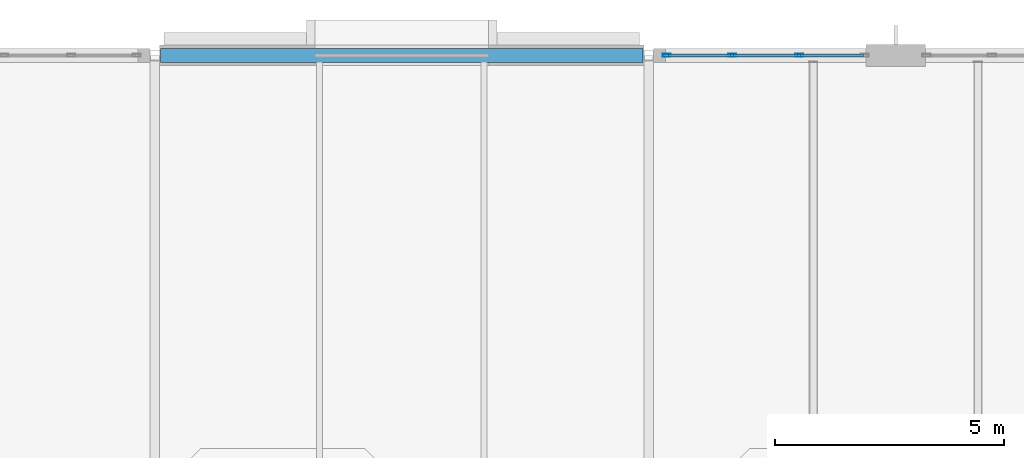
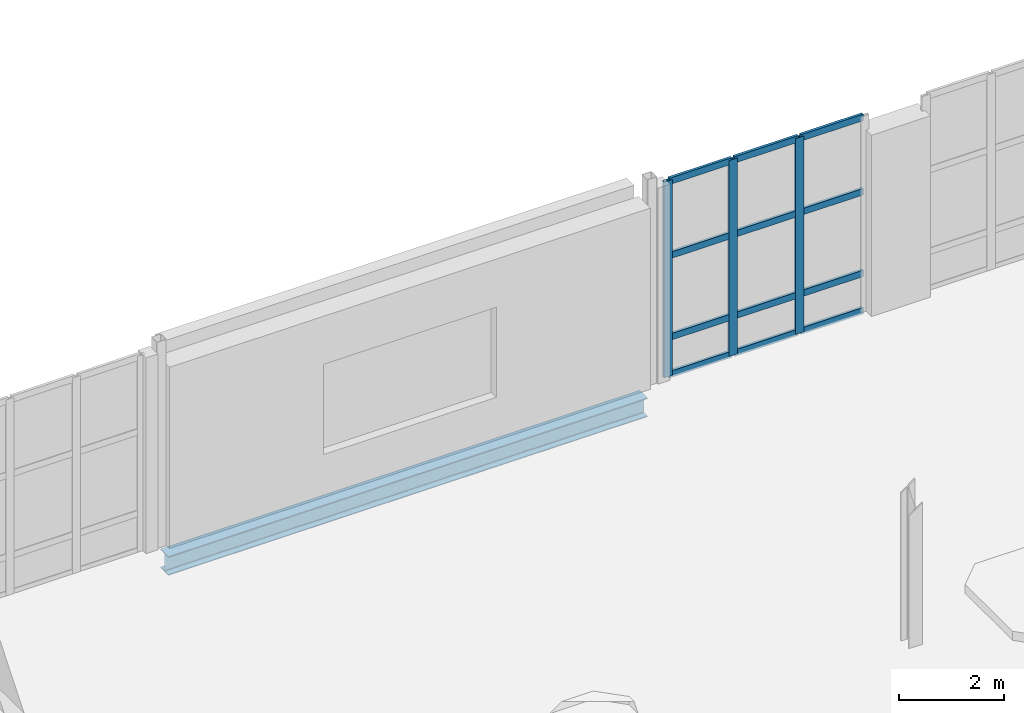
# One storey, part 50 of 86: 15 members, 1 beam, 1 element without a shape of its own.
"""IFC4 building model written with IfcOpenShell, lengths in metres."""

from ifc_helpers import new_model, si_unit, direction, frame, origin, origin_2d, place, context, subcontext, project, spatial, hollow_rectangle, i_section, extrude, material, layer, layer_set, material_profile, profile_set, type_object, element, aggregate, save


model = new_model("IFC4")

# Units and contexts
model_context = context("Model", 3, precision=1e-05, world=origin(), true_north=direction((0.0, 1.0)))
body_context = subcontext(model_context, "Body", "Model", "MODEL_VIEW")
ifc_project = project(units=[si_unit("LENGTHUNIT", "METRE"), si_unit("AREAUNIT", "SQUARE_METRE"), si_unit("VOLUMEUNIT", "CUBIC_METRE"), si_unit("PLANEANGLEUNIT", "RADIAN"), si_unit("MASSUNIT", "GRAM", prefix="KILO")], contexts=[model_context])

# Site, building, storey
site_placement = place(None, origin())
site = spatial("IfcSite", under=ifc_project, at=site_placement, CompositionType="ELEMENT")
building_placement = place(site_placement, origin())
building = spatial("IfcBuilding", under=site, at=building_placement, Name="Tasgan Crest Museum", CompositionType="ELEMENT")
storey_placement = place(building_placement, frame((0.0, 0.0, 24.0)))
storey = spatial("IfcBuildingStorey", under=building, at=storey_placement, Name="L04", CompositionType="ELEMENT", Elevation=24.0)

# Beam
ifc_material_1 = material(Name="Steel S355J2", Category="steel")
ifc_material_profile_1 = material_profile(ifc_material_1, i_section(OverallWidth=0.300048828125, OverallDepth=0.43994140625, WebThickness=0.011474609375, FlangeThickness=0.02099609375, FilletRadius=0.027099609375, at=origin_2d()), Name="HEA 450")
ifc_profile_set_1 = profile_set([ifc_material_profile_1], Name="Steel S355J2")
beam_type = type_object("IfcBeamType", Name="BM-G-HEA450", PredefinedType="BEAM", material=ifc_profile_set_1)
beam_placement = place(storey_placement, frame((43.325927734375, 112.0, -0.4599609375), z_axis=(1.0, 0.0, 0.0), x_axis=(0.0, 1.0, 0.0)))
element("IfcBeam", 1, at=beam_placement, inside=storey, type_object=beam_type, Name="Girder L04 M 43.2-54.0", PredefinedType="BEAM", context=body_context, shape_type="SweptSolid", body=[
    extrude(i_section(OverallWidth=0.300048828125, OverallDepth=0.43994140625, WebThickness=0.011474609375, FlangeThickness=0.02099609375, FilletRadius=0.027099609375, at=origin_2d()), origin(), (0.0, 0.0, 1.0), 10.548095703125),
])

# Curtain wall, members
ifc_material_2 = material(Name="Triple-Glazed Aluminium Curtain Wall", Category="aluminium")
ifc_layer = layer(ifc_material_2, 0.179931640625, Name="CW-CORE-STRIP-48")
ifc_layer_set = layer_set([ifc_layer], Name="Triple-Glazed Aluminium Curtain Wall")
curtain_wall_type = type_object("IfcCurtainWallType", Name="CW-CORE-STRIP-48", PredefinedType="NOTDEFINED", material=ifc_layer_set)
curtain_wall_placement = place(storey_placement, origin())
curtain_wall = element("IfcCurtainWall", 2, at=curtain_wall_placement, inside=storey, type_object=curtain_wall_type, Name="Curtain wall L04 164", PredefinedType="NOTDEFINED")
ifc_material_3 = material(Name="Anodised Aluminium", Category="aluminium")
ifc_material_profile_2 = material_profile(ifc_material_3, hollow_rectangle(XDim=0.06494140625, YDim=0.179931640625, WallThickness=0.0048828125, at=origin_2d()), Name="ALU MULLION 180x65x5")
ifc_profile_set_2 = profile_set([ifc_material_profile_2], Name="Anodised Aluminium")
member_type_1 = type_object("IfcMemberType", Name="CW-MULLION-180", PredefinedType="MULLION", material=ifc_profile_set_2)
member_1_placement = place(storey_placement, frame((57.291748046875, 112.0, 0.0), z_axis=(0.0, 0.0, 1.0), x_axis=(0.0, -1.0, 0.0)))
member_1 = element("IfcMember", 3, at=member_1_placement, type_object=member_type_1, Name="CW19 mullion 2", PredefinedType="MULLION", context=body_context, shape_type="SweptSolid", body=[
    extrude(hollow_rectangle(XDim=0.06494140625, YDim=0.179931640625, WallThickness=0.0048828125, at=origin_2d()), origin(), (0.0, 0.0, 1.0), 4.56005859375),
])
member_2_placement = place(storey_placement, frame((55.828369140625, 112.0, 0.0), z_axis=(0.0, 0.0, 1.0), x_axis=(0.0, -1.0, 0.0)))
member_2 = element("IfcMember", 4, at=member_2_placement, type_object=member_type_1, Name="CW19 mullion 3", PredefinedType="MULLION", context=body_context, shape_type="SweptSolid", body=[
    extrude(hollow_rectangle(XDim=0.06494140625, YDim=0.179931640625, WallThickness=0.0048828125, at=origin_2d()), origin(), (0.0, 0.0, 1.0), 4.56005859375),
])
member_3_placement = place(storey_placement, frame((54.39501953125, 112.0, 0.0), z_axis=(0.0, 0.0, 1.0), x_axis=(0.0, -1.0, 0.0)))
member_3 = element("IfcMember", 5, at=member_3_placement, type_object=member_type_1, Name="CW19 mullion 4", PredefinedType="MULLION", context=body_context, shape_type="SweptSolid", body=[
    extrude(hollow_rectangle(XDim=0.06494140625, YDim=0.179931640625, WallThickness=0.0048828125, at=origin_2d()), origin(), (0.0, 0.0, 1.0), 4.56005859375),
])
ifc_material_4 = material(Name="Anodised Aluminium", Category="aluminium")
ifc_material_profile_3 = material_profile(ifc_material_4, hollow_rectangle(XDim=0.06005859375, YDim=0.14990234375, WallThickness=0.0048828125, at=origin_2d()), Name="ALU TRANSOM 150x60x5")
ifc_profile_set_3 = profile_set([ifc_material_profile_3], Name="Anodised Aluminium")
member_type_2 = type_object("IfcMemberType", Name="CW-TRANSOM-150", PredefinedType="USERDEFINED", material=ifc_profile_set_3)
member_4_placement = place(storey_placement, frame((58.695068359375, 112.0, 0.030029296875), z_axis=(-1.0, 0.0, 0.0), x_axis=(0.0, -1.0, 0.0)))
member_4 = element("IfcMember", 6, at=member_4_placement, type_object=member_type_2, Name="CW19 transom 1.1", ObjectType="TRANSOM", PredefinedType="USERDEFINED", context=body_context, shape_type="SweptSolid", body=[
    extrude(hollow_rectangle(XDim=0.06005859375, YDim=0.14990234375, WallThickness=0.0048828125, at=origin_2d()), origin(), (0.0, 0.0, 1.0), 1.373291015625),
])
member_5_placement = place(storey_placement, frame((58.695068359375, 112.0, 0.89990234375), z_axis=(-1.0, 0.0, 0.0), x_axis=(0.0, -1.0, 0.0)))
member_5 = element("IfcMember", 7, at=member_5_placement, type_object=member_type_2, Name="CW19 transom 1.2", ObjectType="TRANSOM", PredefinedType="USERDEFINED", context=body_context, shape_type="SweptSolid", body=[
    extrude(hollow_rectangle(XDim=0.06005859375, YDim=0.14990234375, WallThickness=0.0048828125, at=origin_2d()), origin(), (0.0, 0.0, 1.0), 1.373291015625),
])
member_6_placement = place(storey_placement, frame((58.695068359375, 112.0, 2.800048828125), z_axis=(-1.0, 0.0, 0.0), x_axis=(0.0, -1.0, 0.0)))
member_6 = element("IfcMember", 8, at=member_6_placement, type_object=member_type_2, Name="CW19 transom 1.3", ObjectType="TRANSOM", PredefinedType="USERDEFINED", context=body_context, shape_type="SweptSolid", body=[
    extrude(hollow_rectangle(XDim=0.06005859375, YDim=0.14990234375, WallThickness=0.0048828125, at=origin_2d()), origin(), (0.0, 0.0, 1.0), 1.373291015625),
])
member_7_placement = place(storey_placement, frame((58.695068359375, 112.0, 4.530029296875), z_axis=(-1.0, 0.0, 0.0), x_axis=(0.0, -1.0, 0.0)))
member_7 = element("IfcMember", 9, at=member_7_placement, type_object=member_type_2, Name="CW19 transom 1.4", ObjectType="TRANSOM", PredefinedType="USERDEFINED", context=body_context, shape_type="SweptSolid", body=[
    extrude(hollow_rectangle(XDim=0.06005859375, YDim=0.14990234375, WallThickness=0.0048828125, at=origin_2d()), origin(), (0.0, 0.0, 1.0), 1.373291015625),
])
member_8_placement = place(storey_placement, frame((57.26171875, 112.0, 0.030029296875), z_axis=(-1.0, 0.0, 0.0), x_axis=(0.0, -1.0, 0.0)))
member_8 = element("IfcMember", 10, at=member_8_placement, type_object=member_type_2, Name="CW19 transom 2.1", ObjectType="TRANSOM", PredefinedType="USERDEFINED", context=body_context, shape_type="SweptSolid", body=[
    extrude(hollow_rectangle(XDim=0.06005859375, YDim=0.14990234375, WallThickness=0.0048828125, at=origin_2d()), origin(), (0.0, 0.0, 1.0), 1.4033203125),
])
member_9_placement = place(storey_placement, frame((57.26171875, 112.0, 0.89990234375), z_axis=(-1.0, 0.0, 0.0), x_axis=(0.0, -1.0, 0.0)))
member_9 = element("IfcMember", 11, at=member_9_placement, type_object=member_type_2, Name="CW19 transom 2.2", ObjectType="TRANSOM", PredefinedType="USERDEFINED", context=body_context, shape_type="SweptSolid", body=[
    extrude(hollow_rectangle(XDim=0.06005859375, YDim=0.14990234375, WallThickness=0.0048828125, at=origin_2d()), origin(), (0.0, 0.0, 1.0), 1.4033203125),
])
member_10_placement = place(storey_placement, frame((57.26171875, 112.0, 2.800048828125), z_axis=(-1.0, 0.0, 0.0), x_axis=(0.0, -1.0, 0.0)))
member_10 = element("IfcMember", 12, at=member_10_placement, type_object=member_type_2, Name="CW19 transom 2.3", ObjectType="TRANSOM", PredefinedType="USERDEFINED", context=body_context, shape_type="SweptSolid", body=[
    extrude(hollow_rectangle(XDim=0.06005859375, YDim=0.14990234375, WallThickness=0.0048828125, at=origin_2d()), origin(), (0.0, 0.0, 1.0), 1.4033203125),
])
member_11_placement = place(storey_placement, frame((57.26171875, 112.0, 4.530029296875), z_axis=(-1.0, 0.0, 0.0), x_axis=(0.0, -1.0, 0.0)))
member_11 = element("IfcMember", 13, at=member_11_placement, type_object=member_type_2, Name="CW19 transom 2.4", ObjectType="TRANSOM", PredefinedType="USERDEFINED", context=body_context, shape_type="SweptSolid", body=[
    extrude(hollow_rectangle(XDim=0.06005859375, YDim=0.14990234375, WallThickness=0.0048828125, at=origin_2d()), origin(), (0.0, 0.0, 1.0), 1.4033203125),
])
member_12_placement = place(storey_placement, frame((55.79833984375, 112.0, 0.030029296875), z_axis=(-1.0, 0.0, 0.0), x_axis=(0.0, -1.0, 0.0)))
member_12 = element("IfcMember", 14, at=member_12_placement, type_object=member_type_2, Name="CW19 transom 3.1", ObjectType="TRANSOM", PredefinedType="USERDEFINED", context=body_context, shape_type="SweptSolid", body=[
    extrude(hollow_rectangle(XDim=0.06005859375, YDim=0.14990234375, WallThickness=0.0048828125, at=origin_2d()), origin(), (0.0, 0.0, 1.0), 1.373291015625),
])
member_13_placement = place(storey_placement, frame((55.79833984375, 112.0, 0.89990234375), z_axis=(-1.0, 0.0, 0.0), x_axis=(0.0, -1.0, 0.0)))
member_13 = element("IfcMember", 15, at=member_13_placement, type_object=member_type_2, Name="CW19 transom 3.2", ObjectType="TRANSOM", PredefinedType="USERDEFINED", context=body_context, shape_type="SweptSolid", body=[
    extrude(hollow_rectangle(XDim=0.06005859375, YDim=0.14990234375, WallThickness=0.0048828125, at=origin_2d()), origin(), (0.0, 0.0, 1.0), 1.373291015625),
])
member_14_placement = place(storey_placement, frame((55.79833984375, 112.0, 2.800048828125), z_axis=(-1.0, 0.0, 0.0), x_axis=(0.0, -1.0, 0.0)))
member_14 = element("IfcMember", 16, at=member_14_placement, type_object=member_type_2, Name="CW19 transom 3.3", ObjectType="TRANSOM", PredefinedType="USERDEFINED", context=body_context, shape_type="SweptSolid", body=[
    extrude(hollow_rectangle(XDim=0.06005859375, YDim=0.14990234375, WallThickness=0.0048828125, at=origin_2d()), origin(), (0.0, 0.0, 1.0), 1.373291015625),
])
member_15_placement = place(storey_placement, frame((55.79833984375, 112.0, 4.530029296875), z_axis=(-1.0, 0.0, 0.0), x_axis=(0.0, -1.0, 0.0)))
member_15 = element("IfcMember", 17, at=member_15_placement, type_object=member_type_2, Name="CW19 transom 3.4", ObjectType="TRANSOM", PredefinedType="USERDEFINED", context=body_context, shape_type="SweptSolid", body=[
    extrude(hollow_rectangle(XDim=0.06005859375, YDim=0.14990234375, WallThickness=0.0048828125, at=origin_2d()), origin(), (0.0, 0.0, 1.0), 1.373291015625),
])
aggregate(curtain_wall, [member_1, member_2, member_3, member_4, member_5, member_6, member_7, member_8, member_9, member_10, member_11, member_12, member_13, member_14, member_15])

save(model, "model.ifc")
